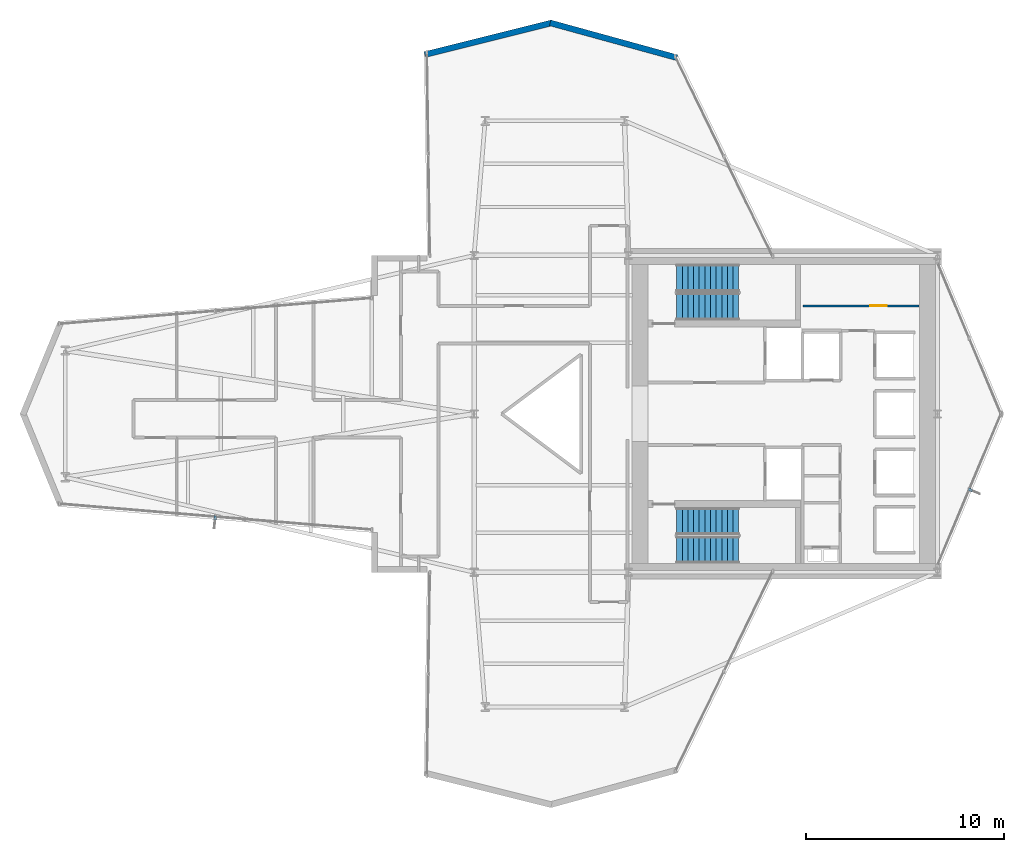
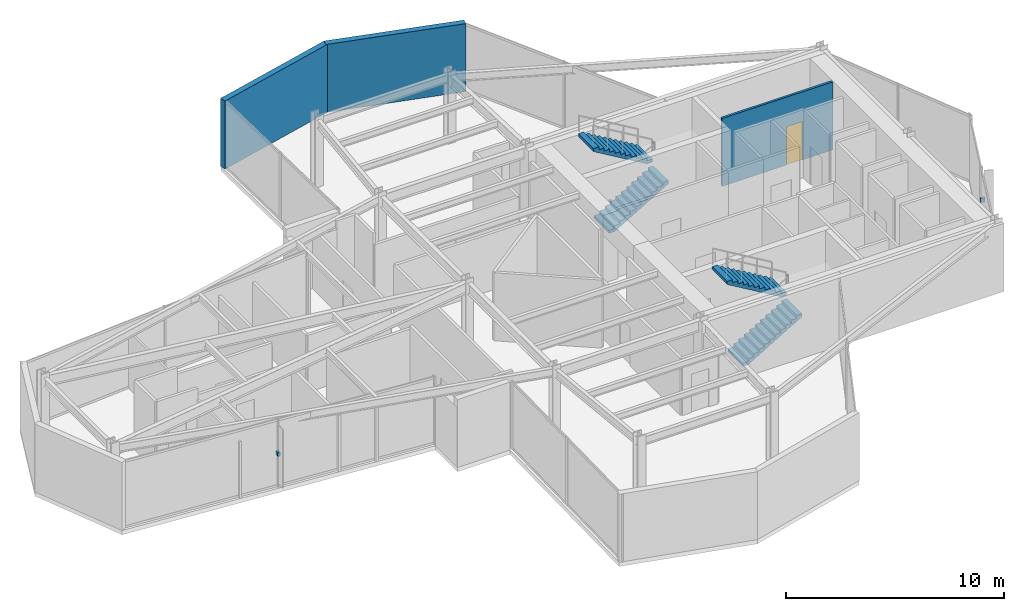
# One storey, part 24 of 25: 4 stair flights, 3 walls, 2 discrete accessories, 1 door, 1 opening, 2 elements without a shape of their own.
"""IFC4 building model written with IfcOpenShell, lengths in metres."""

from ifc_helpers import new_model, si_unit, direction, frame, frame_2d, origin, origin_2d, place, context, subcontext, project, spatial, polyline, rectangle, outline, extrude, material, layer, layer_set, type_object, element, fill, aggregate, save


model = new_model("IFC4")

# Units and contexts
model_context = context("Model", 3, precision=1e-05, world=origin(), true_north=direction((0.0, 1.0)))
body_context = subcontext(model_context, "Body", "Model", "MODEL_VIEW")
ifc_project = project(units=[si_unit("LENGTHUNIT", "METRE"), si_unit("AREAUNIT", "SQUARE_METRE"), si_unit("VOLUMEUNIT", "CUBIC_METRE"), si_unit("PLANEANGLEUNIT", "RADIAN"), si_unit("MASSUNIT", "GRAM", prefix="KILO")], contexts=[model_context])

# Site, building, storey
site_placement = place(None, origin())
site = spatial("IfcSite", under=ifc_project, at=site_placement, CompositionType="ELEMENT")
building_placement = place(site_placement, origin())
building = spatial("IfcBuilding", under=site, at=building_placement, Name="Veymaron Broadcast Tower", CompositionType="ELEMENT")
storey_placement = place(building_placement, frame((0.0, 0.0, 120.89990234375)))
storey = spatial("IfcBuildingStorey", under=building, at=storey_placement, Name="L27", CompositionType="ELEMENT", Elevation=120.89990234375)

# Walls
ifc_material_1 = material(Name="Precast concrete C40/50 with mineral-wool insulation", Category="concrete")
ifc_layer_1 = layer(ifc_material_1, 0.300048828125)
ifc_layer_set_1 = layer_set([ifc_layer_1], Name="Precast concrete C40/50 with mineral-wool insulation")
wall_type_1 = type_object("IfcWallType", Name="WALL-EXT-300", PredefinedType="STANDARD", material=ifc_layer_set_1)
wall_1_placement = place(storey_placement, frame((41.445068359375, 41.985107421875, 0.0), z_axis=(0.0, 0.0, 1.0), x_axis=(-0.96422724659, 0.265077001894, 0.0)))
element("IfcWall", 1, at=wall_1_placement, inside=storey, type_object=wall_type_1, Name="L27 notched corner facade pier 6-1", PredefinedType="STANDARD", context=body_context, shape_type="SweptSolid", body=[
    extrude(rectangle(XDim=6.6396484375, YDim=0.300048828125, at=frame_2d((3.31982421875, 0.0))), origin(), (0.0, 0.0, 1.0), 3.81005859375),
])
wall_2_placement = place(storey_placement, frame((35.114013671875, 43.744140625, 0.0), z_axis=(0.0, 0.0, 1.0), x_axis=(-0.970168608955, -0.242431165897, 0.0)))
element("IfcWall", 2, at=wall_2_placement, inside=storey, type_object=wall_type_1, Name="L27 notched corner facade pier 7-1", PredefinedType="STANDARD", context=body_context, shape_type="SweptSolid", body=[
    extrude(rectangle(XDim=6.59912109375, YDim=0.300048828125, at=frame_2d((3.299560546875, 0.0))), origin(), (0.0, 0.0, 1.0), 3.81005859375),
])

# Wall, opening, door
ifc_material_2 = material(Name="Acoustic gypsum board and galvanized stud", Category="gypsum")
ifc_layer_2 = layer(ifc_material_2, 0.1201171875)
ifc_layer_set_2 = layer_set([ifc_layer_2], Name="Acoustic gypsum board and galvanized stud")
wall_type_2 = type_object("IfcWallType", Name="WALL-PART-120", PredefinedType="PARTITIONING", material=ifc_layer_set_2)
wall_3_placement = place(storey_placement, frame((47.800048828125, 29.449951171875, 0.0), z_axis=(0.0, 0.0, 1.0), x_axis=(1.0, 0.0, 0.0)))
wall_3 = element("IfcWall", 3, at=wall_3_placement, inside=storey, type_object=wall_type_2, Name="L27 partition IW-L27-F1-MY", PredefinedType="PARTITIONING", context=body_context, shape_type="SweptSolid", body=[
    extrude(rectangle(XDim=5.85986328125, YDim=0.1201171875, at=frame_2d((2.929931640625, 0.0))), origin(), (0.0, 0.0, 1.0), 3.81005859375),
])
opening_placement = place(wall_3_placement, frame((3.39990234375, 0.0, 0.0)))
opening = element("IfcOpeningElement", 4, at=opening_placement, cuts=wall_3, Name="Opening ID-WC1", PredefinedType="OPENING", context=body_context, shape_type="SweptSolid", body=[
    extrude(rectangle(XDim=0.85009765625, YDim=2.14990234375, at=frame_2d((0.425048828125, 1.074951171875))), frame((0.0, 0.070068359375, 0.0), z_axis=(0.0, -1.0, 0.0), x_axis=(1.0, 0.0, 0.0)), (0.0, 0.0, 1.0), 0.14013671875),
])
ifc_material_3 = material(Name="Moisture-resistant high-pressure laminate timber", Category="wood")
door_type = type_object("IfcDoorType", Name="DOOR-INT-850", OperationType="NOTDEFINED", PredefinedType="DOOR", material=ifc_material_3)
door_placement = place(opening_placement, origin())
door = element("IfcDoor", 5, at=door_placement, inside=storey, type_object=door_type, Name="L27 door DR-L27-F1B", OperationType="SINGLE_SWING_LEFT", OverallHeight=2.14990234375, OverallWidth=0.85009765625, PredefinedType="DOOR", context=body_context, shape_type="SweptSolid", body=[
    extrude(rectangle(XDim=0.85009765625, YDim=2.14990234375, at=frame_2d((0.425048828125, 1.074951171875))), frame((0.0, 0.02490234375, 0.0), z_axis=(0.0, -1.0, 0.0), x_axis=(1.0, 0.0, 0.0)), (0.0, 0.0, 1.0), 0.050048828125),
])
fill(opening, door)

# Stair, stair flights
ifc_material_4 = material(Name="Concrete C50/60", Category="concrete")
stair_type_1 = type_object("IfcStairType", Name="STAIR-CORE-1", PredefinedType="HALF_TURN_STAIR", material=ifc_material_4)
stair_1_placement = place(storey_placement, origin())
stair_1 = element("IfcStair", 6, at=stair_1_placement, inside=storey, type_object=stair_type_1, Name="L27 North protected dog-leg exit stair ST1", PredefinedType="HALF_TURN_STAIR")
ifc_material_5 = material(Name="Precast concrete C50/60", Category="concrete")
stair_flight_type = type_object("IfcStairFlightType", Name="FLT-CORE-RC", PredefinedType="STRAIGHT", material=ifc_material_5)
stair_flight_1_placement = place(storey_placement, frame((41.429931640625, 29.419921875, 0.0), z_axis=(0.0, 0.0, 1.0), x_axis=(1.0, 0.0, 0.0)))
stair_flight_1 = element("IfcStairFlight", 7, at=stair_flight_1_placement, type_object=stair_flight_type, Name="ST1 flight 1", NumberOfRisers=12, NumberOfTreads=11, PredefinedType="STRAIGHT", RiserHeight=0.16875, TreadLength=0.285, context=body_context, shape_type="SweptSolid", body=[
    extrude(outline(polyline([(0.0, 0.0), (0.0, 0.168701171875), (0.284912109375, 0.168701171875), (0.284912109375, 0.33740234375), (0.570068359375, 0.33740234375), (0.570068359375, 0.50634765625), (0.85498046875, 0.50634765625), (0.85498046875, 0.675048828125), (1.139892578125, 0.675048828125), (1.139892578125, 0.84375), (1.425048828125, 0.84375), (1.425048828125, 1.012451171875), (1.7099609375, 1.012451171875), (1.7099609375, 1.18115234375), (1.9951171875, 1.18115234375), (1.9951171875, 1.35009765625), (2.280029296875, 1.35009765625), (2.280029296875, 1.518798828125), (2.56494140625, 1.518798828125), (2.56494140625, 1.6875), (2.85009765625, 1.6875), (2.85009765625, 1.856201171875), (3.135009765625, 1.856201171875), (3.135009765625, 2.02490234375), (3.135009765625, 1.68212890625), (0.294189453125, 0.0), (0.0, 0.0)])), frame((0.0, 0.68994140625, 0.0), z_axis=(0.0, -1.0, 0.0), x_axis=(1.0, 0.0, 0.0)), (0.0, 0.0, 1.0), 1.3798828125),
])
stair_flight_2_placement = place(storey_placement, frame((44.56494140625, 30.860107421875, 2.025146484375), z_axis=(0.0, 0.0, 1.0), x_axis=(-1.0, 0.0, 0.0)))
stair_flight_2 = element("IfcStairFlight", 8, at=stair_flight_2_placement, type_object=stair_flight_type, Name="ST1 flight 2", NumberOfRisers=12, NumberOfTreads=11, PredefinedType="STRAIGHT", RiserHeight=0.16875, TreadLength=0.285, context=body_context, shape_type="SweptSolid", body=[
    extrude(outline(polyline([(0.0, 0.0), (0.0, 0.168701171875), (0.284912109375, 0.168701171875), (0.284912109375, 0.33740234375), (0.570068359375, 0.33740234375), (0.570068359375, 0.50634765625), (0.85498046875, 0.50634765625), (0.85498046875, 0.675048828125), (1.139892578125, 0.675048828125), (1.139892578125, 0.84375), (1.425048828125, 0.84375), (1.425048828125, 1.012451171875), (1.7099609375, 1.012451171875), (1.7099609375, 1.18115234375), (1.9951171875, 1.18115234375), (1.9951171875, 1.35009765625), (2.280029296875, 1.35009765625), (2.280029296875, 1.518798828125), (2.56494140625, 1.518798828125), (2.56494140625, 1.6875), (2.85009765625, 1.6875), (2.85009765625, 1.856201171875), (3.135009765625, 1.856201171875), (3.135009765625, 2.02490234375), (3.135009765625, 1.68212890625), (0.294189453125, 0.0), (0.0, 0.0)])), frame((0.0, 0.68994140625, 0.0), z_axis=(0.0, -1.0, 0.0), x_axis=(1.0, 0.0, 0.0)), (0.0, 0.0, 1.0), 1.3798828125),
])
aggregate(stair_1, [stair_flight_1, stair_flight_2])

stair_type_2 = type_object("IfcStairType", Name="STAIR-CORE-2", PredefinedType="HALF_TURN_STAIR", material=ifc_material_4)
stair_2_placement = place(storey_placement, origin())
stair_2 = element("IfcStair", 9, at=stair_2_placement, inside=storey, type_object=stair_type_2, Name="L27 South protected dog-leg exit stair ST2", PredefinedType="HALF_TURN_STAIR")
stair_flight_3_placement = place(storey_placement, frame((41.429931640625, 17.139892578125, 0.0), z_axis=(0.0, 0.0, 1.0), x_axis=(1.0, 0.0, 0.0)))
stair_flight_3 = element("IfcStairFlight", 10, at=stair_flight_3_placement, type_object=stair_flight_type, Name="ST2 flight 1", NumberOfRisers=12, NumberOfTreads=11, PredefinedType="STRAIGHT", RiserHeight=0.16875, TreadLength=0.285, context=body_context, shape_type="SweptSolid", body=[
    extrude(outline(polyline([(0.0, 0.0), (0.0, 0.168701171875), (0.284912109375, 0.168701171875), (0.284912109375, 0.33740234375), (0.570068359375, 0.33740234375), (0.570068359375, 0.50634765625), (0.85498046875, 0.50634765625), (0.85498046875, 0.675048828125), (1.139892578125, 0.675048828125), (1.139892578125, 0.84375), (1.425048828125, 0.84375), (1.425048828125, 1.012451171875), (1.7099609375, 1.012451171875), (1.7099609375, 1.18115234375), (1.9951171875, 1.18115234375), (1.9951171875, 1.35009765625), (2.280029296875, 1.35009765625), (2.280029296875, 1.518798828125), (2.56494140625, 1.518798828125), (2.56494140625, 1.6875), (2.85009765625, 1.6875), (2.85009765625, 1.856201171875), (3.135009765625, 1.856201171875), (3.135009765625, 2.02490234375), (3.135009765625, 1.68212890625), (0.294189453125, 0.0), (0.0, 0.0)])), frame((0.0, 0.68994140625, 0.0), z_axis=(0.0, -1.0, 0.0), x_axis=(1.0, 0.0, 0.0)), (0.0, 0.0, 1.0), 1.3798828125),
])
stair_flight_4_placement = place(storey_placement, frame((44.56494140625, 18.580078125, 2.025146484375), z_axis=(0.0, 0.0, 1.0), x_axis=(-1.0, 0.0, 0.0)))
stair_flight_4 = element("IfcStairFlight", 11, at=stair_flight_4_placement, type_object=stair_flight_type, Name="ST2 flight 2", NumberOfRisers=12, NumberOfTreads=11, PredefinedType="STRAIGHT", RiserHeight=0.16875, TreadLength=0.285, context=body_context, shape_type="SweptSolid", body=[
    extrude(outline(polyline([(0.0, 0.0), (0.0, 0.168701171875), (0.284912109375, 0.168701171875), (0.284912109375, 0.33740234375), (0.570068359375, 0.33740234375), (0.570068359375, 0.50634765625), (0.85498046875, 0.50634765625), (0.85498046875, 0.675048828125), (1.139892578125, 0.675048828125), (1.139892578125, 0.84375), (1.425048828125, 0.84375), (1.425048828125, 1.012451171875), (1.7099609375, 1.012451171875), (1.7099609375, 1.18115234375), (1.9951171875, 1.18115234375), (1.9951171875, 1.35009765625), (2.280029296875, 1.35009765625), (2.280029296875, 1.518798828125), (2.56494140625, 1.518798828125), (2.56494140625, 1.6875), (2.85009765625, 1.6875), (2.85009765625, 1.856201171875), (3.135009765625, 1.856201171875), (3.135009765625, 2.02490234375), (3.135009765625, 1.68212890625), (0.294189453125, 0.0), (0.0, 0.0)])), frame((0.0, 0.68994140625, 0.0), z_axis=(0.0, -1.0, 0.0), x_axis=(1.0, 0.0, 0.0)), (0.0, 0.0, 1.0), 1.3798828125),
])
aggregate(stair_2, [stair_flight_3, stair_flight_4])

# Discrete accessories
ifc_material_6 = material(Name="Austenitic stainless steel AISI 316L", Category="steel")
ifc_layer_3 = layer(ifc_material_6, 0.1201171875)
ifc_layer_set_3 = layer_set([ifc_layer_3], Name="Austenitic stainless steel AISI 316L")
discrete_accessory_type = type_object("IfcDiscreteAccessoryType", Name="ACC-BRKT-SS1", PredefinedType="BRACKET", material=ifc_layer_set_3)
for number, where, z_axis, x_axis, name in (
    (12, (56.25927734375, 20.156982421875, 1.794921875), (0.0, 0.0, 1.0), (0.921984847706, -0.387225955483, 0.0), "CW-L27-E2-1 fin bracket 1"),
    (13, (18.126708984375, 18.7451171875, 1.794921875), (0.0, 0.0, 1.0), (-0.082529910699, -0.996588588054, 0.0), "CW-L27-E14-1 fin bracket 1"),
):
    element("IfcDiscreteAccessory", number, at=place(storey_placement, frame(where, z_axis=z_axis, x_axis=x_axis)), inside=storey, type_object=discrete_accessory_type, Name=name, PredefinedType="BRACKET", context=body_context, shape_type="SweptSolid", body=[
        extrude(rectangle(XDim=0.219970703125, YDim=0.139892578125, at=origin_2d()), origin(), (0.0, 0.0, 1.0), 0.219970703125),
    ])

save(model, "model.ifc")
